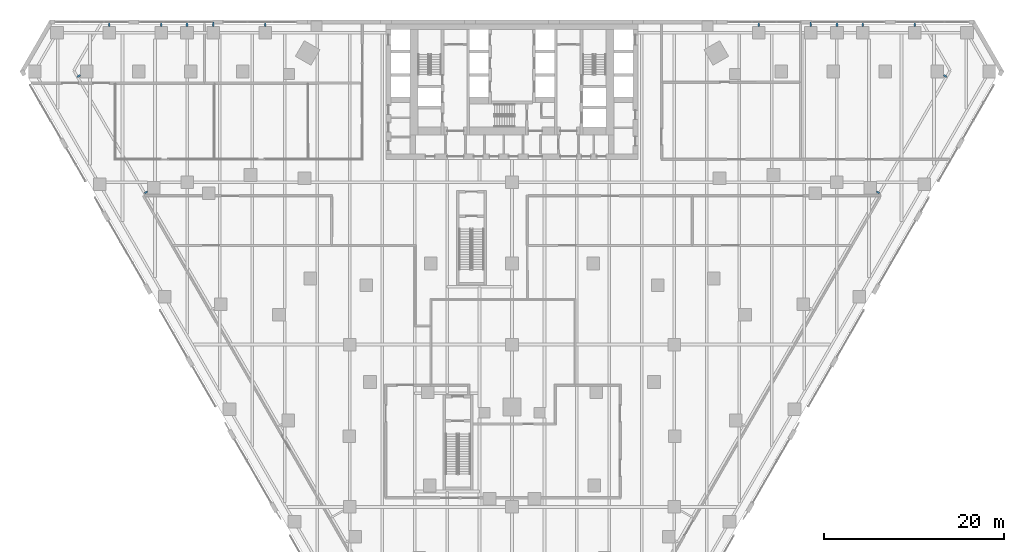
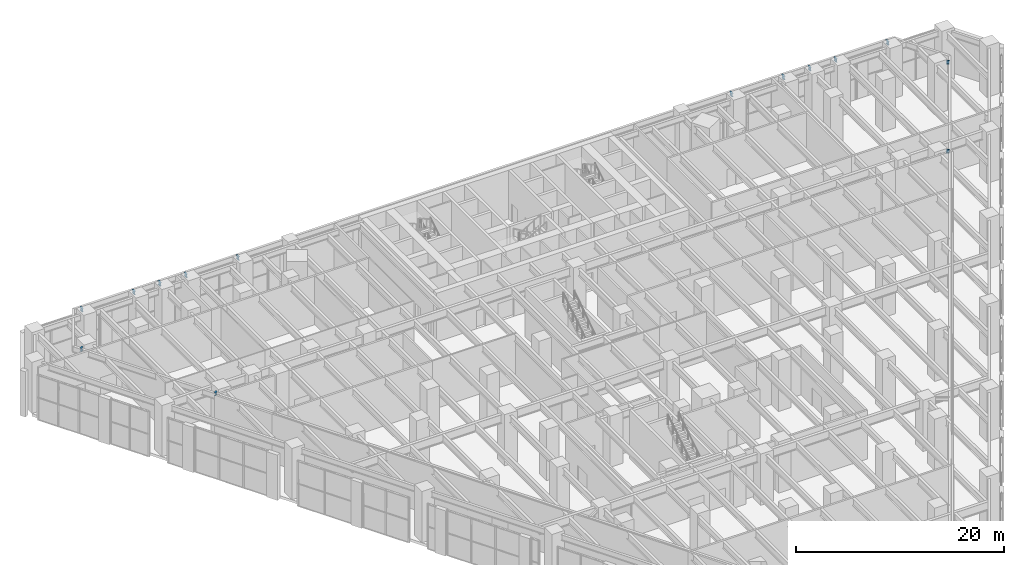
# One storey, part 23 of 37: 14 beams.
"""IFC4 building model written with IfcOpenShell, lengths in metres."""

from ifc_helpers import new_model, si_unit, direction, frame, origin, origin_2d, place, context, subcontext, project, spatial, i_section, extrude, material, material_profile, profile_set, type_object, element, save


model = new_model("IFC4")

# Units and contexts
model_context = context("Model", 3, precision=1e-05, world=origin(), true_north=direction((0.0, 1.0)))
body_context = subcontext(model_context, "Body", "Model", "MODEL_VIEW")
ifc_project = project(units=[si_unit("LENGTHUNIT", "METRE"), si_unit("AREAUNIT", "SQUARE_METRE"), si_unit("VOLUMEUNIT", "CUBIC_METRE"), si_unit("PLANEANGLEUNIT", "RADIAN"), si_unit("MASSUNIT", "GRAM", prefix="KILO")], contexts=[model_context])

# Site, building, storey
site_placement = place(None, origin())
site = spatial("IfcSite", under=ifc_project, at=site_placement, CompositionType="ELEMENT")
building_placement = place(site_placement, origin())
building = spatial("IfcBuilding", under=site, at=building_placement, Name="Aloe Facet Convention Tower", CompositionType="ELEMENT")
storey_placement = place(building_placement, frame((0.0, 0.0, 7.5)))
storey = spatial("IfcBuildingStorey", under=building, at=storey_placement, Name="L01", CompositionType="ELEMENT", Elevation=7.5)

# Beams
ifc_material = material(Name="Steel S355", Category="steel")
ifc_material_profile = material_profile(ifc_material, i_section(OverallWidth=0.177734375, OverallDepth=0.402587890625, WebThickness=0.0078125, FlangeThickness=0.010986328125, FilletRadius=0.01025390625, at=origin_2d()), Name="UB 406x178x54")
ifc_profile_set = profile_set([ifc_material_profile], Name="Steel S355")
beam_type = type_object("IfcBeamType", Name="EV-BR-UB406x178x54", PredefinedType="BEAM", material=ifc_profile_set)
for number, where, z_axis, x_axis, name in (
    (1, (107.364990234375, 134.300048828125, 5.498779296875), (0.0, 1.0, 0.0), (-1.0, 0.0, 0.0), "EB-L02-N-BR01"),
    (2, (113.138916015625, 134.300048828125, 5.498779296875), (0.0, 1.0, 0.0), (-1.0, 0.0, 0.0), "EB-L02-N-BR02"),
    (3, (116.0419921875, 134.300048828125, 5.498779296875), (0.0, 1.0, 0.0), (-1.0, 0.0, 0.0), "EB-L02-N-BR03"),
    (4, (118.912109375, 134.300048828125, 5.498779296875), (0.0, 1.0, 0.0), (-1.0, 0.0, 0.0), "EB-L02-N-BR04"),
    (5, (124.68603515625, 134.300048828125, 5.498779296875), (0.0, 1.0, 0.0), (-1.0, 0.0, 0.0), "EB-L02-N-BR05"),
    (6, (35.31396484375, 134.300048828125, 5.498779296875), (0.0, 1.0, 0.0), (-1.0, 0.0, 0.0), "EB-L02-N-BR06"),
    (7, (41.087890625, 134.300048828125, 5.498779296875), (0.0, 1.0, 0.0), (-1.0, 0.0, 0.0), "EB-L02-N-BR07"),
    (8, (43.9580078125, 134.300048828125, 5.498779296875), (0.0, 1.0, 0.0), (-1.0, 0.0, 0.0), "EB-L02-N-BR08"),
    (9, (46.861083984375, 134.300048828125, 5.498779296875), (0.0, 1.0, 0.0), (-1.0, 0.0, 0.0), "EB-L02-N-BR09"),
    (10, (52.635009765625, 134.300048828125, 5.498779296875), (0.0, 1.0, 0.0), (-1.0, 0.0, 0.0), "EB-L02-N-BR10"),
):
    element("IfcBeam", number, at=place(storey_placement, frame(where, z_axis=z_axis, x_axis=x_axis)), inside=storey, type_object=beam_type, Name=name, PredefinedType="BEAM", context=body_context, shape_type="SweptSolid", body=[
        extrude(i_section(OverallWidth=0.177734375, OverallDepth=0.402587890625, WebThickness=0.0078125, FlangeThickness=0.010986328125, FilletRadius=0.01025390625, at=origin_2d()), origin(), (0.0, 0.0, 1.0), 0.474853515625),
    ])
beam_1_placement = place(storey_placement, frame((32.123046875, 128.8798828125, 5.498779296875), z_axis=(-0.865941888956, -0.500144624036, 0.0), x_axis=(0.500144624036, -0.865941888956, 0.0)))
element("IfcBeam", 11, at=beam_1_placement, inside=storey, type_object=beam_type, Name="EB-L02-W-BR02", PredefinedType="BEAM", context=body_context, shape_type="SweptSolid", body=[
    extrude(i_section(OverallWidth=0.177734375, OverallDepth=0.402587890625, WebThickness=0.0078125, FlangeThickness=0.010986328125, FilletRadius=0.01025390625, at=origin_2d()), origin(), (0.0, 0.0, 1.0), 0.3671875),
])
for number, where, z_axis, x_axis, name in (
    (12, (39.570068359375, 115.98095703125, 5.498779296875), (-0.866063652425, -0.499933745558, 0.0), (0.499933745558, -0.866063652425, 0.0), "EB-L02-W-BR03"),
    (13, (120.429931640625, 115.98095703125, 5.498779296875), (0.866063652425, -0.499933745558, 0.0), (0.499933745558, 0.866063652425, 0.0), "EB-L02-E-BR04"),
):
    element("IfcBeam", number, at=place(storey_placement, frame(where, z_axis=z_axis, x_axis=x_axis)), inside=storey, type_object=beam_type, Name=name, PredefinedType="BEAM", context=body_context, shape_type="SweptSolid", body=[
        extrude(i_section(OverallWidth=0.177734375, OverallDepth=0.402587890625, WebThickness=0.0078125, FlangeThickness=0.010986328125, FilletRadius=0.01025390625, at=origin_2d()), origin(), (0.0, 0.0, 1.0), 0.36669921875),
    ])
beam_2_placement = place(storey_placement, frame((127.876953125, 128.8798828125, 5.498779296875), z_axis=(0.865941888956, -0.500144624036, 0.0), x_axis=(0.500144624036, 0.865941888956, 0.0)))
element("IfcBeam", 14, at=beam_2_placement, inside=storey, type_object=beam_type, Name="EB-L02-E-BR05", PredefinedType="BEAM", context=body_context, shape_type="SweptSolid", body=[
    extrude(i_section(OverallWidth=0.177734375, OverallDepth=0.402587890625, WebThickness=0.0078125, FlangeThickness=0.010986328125, FilletRadius=0.01025390625, at=origin_2d()), origin(), (0.0, 0.0, 1.0), 0.3671875),
])

save(model, "model.ifc")
